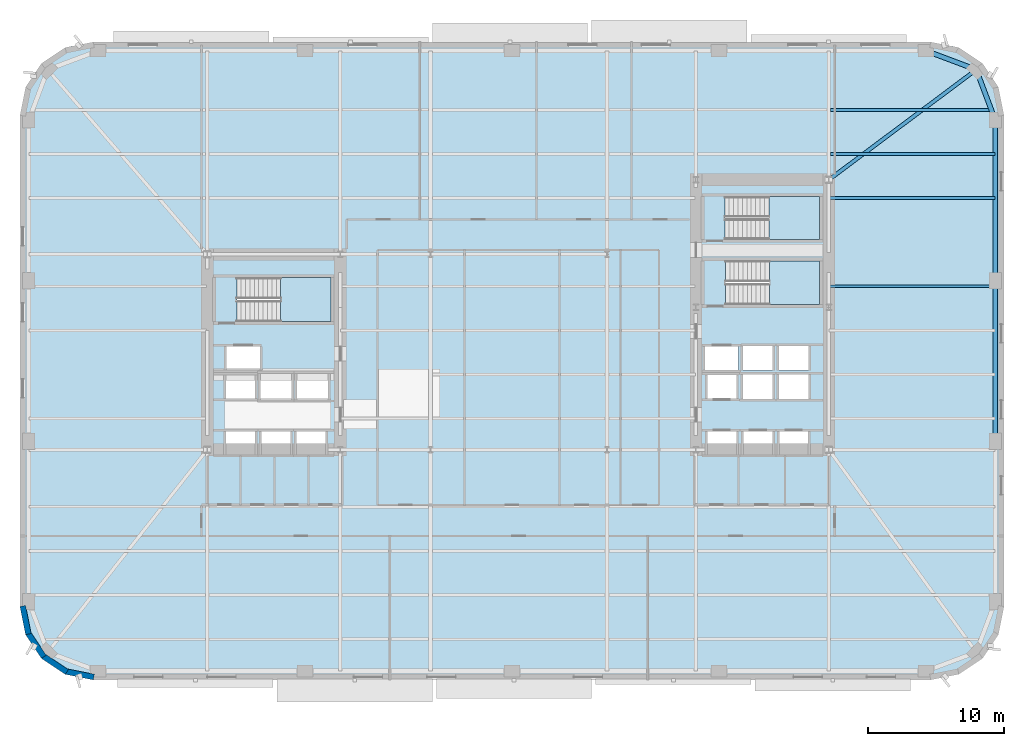
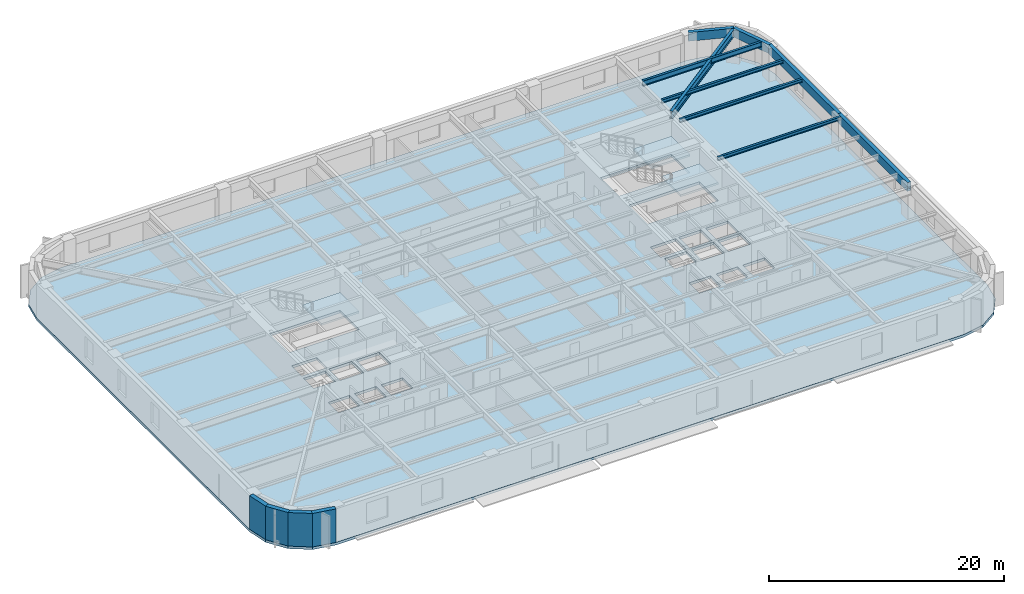
# One storey, part 3 of 15: 9 beams, 4 slabs, 4 walls, 3 elements without a shape of their own.
"""IFC4 building model written with IfcOpenShell, lengths in metres."""

from ifc_helpers import new_model, si_unit, direction, frame, frame_2d, origin, origin_2d, place, context, subcontext, project, spatial, polyline, rectangle, hollow_rectangle, i_section, outline, extrude, material, layer, layer_set, material_profile, profile_set, type_object, element, aggregate, save


model = new_model("IFC4")

# Units and contexts
model_context = context("Model", 3, precision=1e-05, world=origin(), true_north=direction((0.0, 1.0)))
body_context = subcontext(model_context, "Body", "Model", "MODEL_VIEW")
ifc_project = project(units=[si_unit("LENGTHUNIT", "METRE"), si_unit("AREAUNIT", "SQUARE_METRE"), si_unit("VOLUMEUNIT", "CUBIC_METRE"), si_unit("PLANEANGLEUNIT", "RADIAN"), si_unit("MASSUNIT", "GRAM", prefix="KILO")], contexts=[model_context])

# Site, building, storey
site_placement = place(None, origin())
site = spatial("IfcSite", under=ifc_project, at=site_placement, CompositionType="ELEMENT")
building_placement = place(site_placement, origin())
building = spatial("IfcBuilding", under=site, at=building_placement, Name="Kolvaren Arena Tower", CompositionType="ELEMENT")
storey_placement = place(building_placement, frame((0.0, 0.0, 60.75)))
storey = spatial("IfcBuildingStorey", under=building, at=storey_placement, Name="L12", CompositionType="ELEMENT", Elevation=60.75)

# Beams
ifc_material_1 = material(Name="Steel CSA G40.21 350W", Category="steel")
ifc_material_profile_1 = material_profile(ifc_material_1, i_section(OverallWidth=0.2119140625, OverallDepth=0.54296875, WebThickness=0.01318359375, FlangeThickness=0.0244140625, FilletRadius=0.013916015625, at=origin_2d()), Name="W530x150")
ifc_profile_set_1 = profile_set([ifc_material_profile_1], Name="Steel CSA G40.21 350W")
beam_type_1 = type_object("IfcBeamType", Name="BEAM-F1", PredefinedType="BEAM", material=ifc_profile_set_1)
beam_1_placement = place(storey_placement, frame((60.485107421875, 44.5, 3.20849609375), z_axis=(1.0, 0.0, 0.0), x_axis=(0.0, 1.0, 0.0)))
element("IfcBeam", 1, at=beam_1_placement, inside=storey, type_object=beam_type_1, Name="Composite Floor Beam (L12)", PredefinedType="BEAM", context=body_context, shape_type="SweptSolid", body=[
    extrude(i_section(OverallWidth=0.2119140625, OverallDepth=0.54296875, WebThickness=0.01318359375, FlangeThickness=0.0244140625, FilletRadius=0.013916015625, at=origin_2d()), origin(), (0.0, 0.0, 1.0), 11.83349609375),
])
ifc_material_profile_2 = material_profile(ifc_material_1, i_section(OverallWidth=0.27001953125, OverallDepth=0.77294921875, WebThickness=0.019287109375, FlangeThickness=0.033447265625, FilletRadius=0.01806640625, at=origin_2d()), Name="W760x257")
ifc_profile_set_2 = profile_set([ifc_material_profile_2], Name="Steel CSA G40.21 350W")
beam_type_2 = type_object("IfcBeamType", Name="GIRD-T1", PredefinedType="BEAM", material=ifc_profile_set_2)
beam_2_placement = place(storey_placement, frame((71.208740234375, 47.458740234375, 3.093505859375), z_axis=(-0.801249936397, -0.598329791523, 0.0), x_axis=(0.598329791523, -0.801249936397, 0.0)))
element("IfcBeam", 2, at=beam_2_placement, inside=storey, type_object=beam_type_2, Name="Corner Diagonal Tie Girder (L12)", PredefinedType="BEAM", context=body_context, shape_type="SweptSolid", body=[
    extrude(i_section(OverallWidth=0.27001953125, OverallDepth=0.77294921875, WebThickness=0.019287109375, FlangeThickness=0.033447265625, FilletRadius=0.01806640625, at=origin_2d()), origin(), (0.0, 0.0, 1.0), 13.55224609375),
])
ifc_material_profile_3 = material_profile(ifc_material_1, i_section(OverallWidth=0.202880859375, OverallDepth=0.346923828125, WebThickness=0.0078125, FlangeThickness=0.013427734375, FilletRadius=0.010986328125, at=origin_2d()), Name="W360x64")
ifc_profile_set_3 = profile_set([ifc_material_profile_3], Name="Steel CSA G40.21 350W")
beam_type_3 = type_object("IfcBeamType", Name="JOIST-01", PredefinedType="JOIST", material=ifc_profile_set_3)
for number, where, z_axis, x_axis, name in (
    (3, (60.3701171875, 31.5, 3.306396484375), (1.0, 0.0, 0.0), (0.0, 1.0, 0.0), "Composite Floor Joist (L12)"),
    (4, (60.3701171875, 38.0, 3.306396484375), (1.0, 0.0, 0.0), (0.0, 1.0, 0.0), "Composite Floor Joist (L12)"),
):
    element("IfcBeam", number, at=place(storey_placement, frame(where, z_axis=z_axis, x_axis=x_axis)), inside=storey, type_object=beam_type_3, Name=name, PredefinedType="JOIST", context=body_context, shape_type="SweptSolid", body=[
        extrude(i_section(OverallWidth=0.202880859375, OverallDepth=0.346923828125, WebThickness=0.0078125, FlangeThickness=0.013427734375, FilletRadius=0.010986328125, at=origin_2d()), origin(), (0.0, 0.0, 1.0), 12.22998046875),
    ])
beam_3_placement = place(storey_placement, frame((60.485107421875, 41.25, 3.306396484375), z_axis=(1.0, 0.0, 0.0), x_axis=(0.0, 1.0, 0.0)))
element("IfcBeam", 5, at=beam_3_placement, inside=storey, type_object=beam_type_3, Name="Composite Floor Joist (L12)", PredefinedType="JOIST", context=body_context, shape_type="SweptSolid", body=[
    extrude(i_section(OverallWidth=0.202880859375, OverallDepth=0.346923828125, WebThickness=0.0078125, FlangeThickness=0.013427734375, FilletRadius=0.010986328125, at=origin_2d()), origin(), (0.0, 0.0, 1.0), 12.114990234375),
])
ifc_material_2 = material(Name="Steel CSA G40.21 350WT", Category="steel")
ifc_material_profile_4 = material_profile(ifc_material_2, hollow_rectangle(XDim=0.35009765625, YDim=0.89990234375, WallThickness=0.02001953125, at=origin_2d()), Name="HSS 900x350x20")
ifc_profile_set_4 = profile_set([ifc_material_profile_4], Name="Steel CSA G40.21 350WT")
beam_type_4 = type_object("IfcBeamType", Name="SPAND-01", PredefinedType="SPANDREL", material=ifc_profile_set_4)
beam_4_placement = place(storey_placement, frame((72.60009765625, 20.083251953125, 3.030029296875), z_axis=(0.0, 1.0, 0.0), x_axis=(-1.0, 0.0, 0.0)))
element("IfcBeam", 6, at=beam_4_placement, inside=storey, type_object=beam_type_4, Name="Perimeter Spandrel Beam (L12)", PredefinedType="SPANDREL", context=body_context, shape_type="SweptSolid", body=[
    extrude(hollow_rectangle(XDim=0.35009765625, YDim=0.89990234375, WallThickness=0.02001953125, at=origin_2d()), origin(), (0.0, 0.0, 1.0), 11.83349609375),
])
beam_5_placement = place(storey_placement, frame((72.60009765625, 31.916748046875, 3.030029296875), z_axis=(0.0, 1.0, 0.0), x_axis=(-1.0, 0.0, 0.0)))
element("IfcBeam", 7, at=beam_5_placement, inside=storey, type_object=beam_type_4, Name="Perimeter Spandrel Beam (L12)", PredefinedType="SPANDREL", context=body_context, shape_type="SweptSolid", body=[
    extrude(hollow_rectangle(XDim=0.35009765625, YDim=0.89990234375, WallThickness=0.02001953125, at=origin_2d()), origin(), (0.0, 0.0, 1.0), 11.833251953125),
])
for number, where, z_axis, x_axis, name in (
    (8, (72.60009765625, 43.75, 3.030029296875), (-0.351251771955, 0.93628104365, 0.0), (-0.93628104365, -0.351251771955, 0.0), "Perimeter Spandrel Beam (L12)"),
    (9, (71.208740234375, 47.458740234375, 3.030029296875), (-0.93628104365, 0.351251771955, 0.0), (-0.351251771955, -0.93628104365, 0.0), "Perimeter Spandrel Beam (L12)"),
):
    element("IfcBeam", number, at=place(storey_placement, frame(where, z_axis=z_axis, x_axis=x_axis)), inside=storey, type_object=beam_type_4, Name=name, PredefinedType="SPANDREL", context=body_context, shape_type="SweptSolid", body=[
        extrude(hollow_rectangle(XDim=0.35009765625, YDim=0.89990234375, WallThickness=0.02001953125, at=origin_2d()), origin(), (0.0, 0.0, 1.0), 3.961181640625),
    ])

# Stair, slab
ifc_material_3 = material(Name="Concrete 45 MPa", Category="concrete")
stair_type_1 = type_object("IfcStairType", Name="STAIR-CORE-165", PredefinedType="HALF_TURN_STAIR", material=ifc_material_3)
stair_1_placement = place(storey_placement, origin())
stair_1 = element("IfcStair", 10, at=stair_1_placement, inside=storey, type_object=stair_type_1, Name="L12 ST-W1", PredefinedType="HALF_TURN_STAIR")
ifc_layer_1 = layer(ifc_material_3, 0.199951171875)
ifc_layer_set_1 = layer_set([ifc_layer_1], Name="Concrete 45 MPa")
slab_type_1 = type_object("IfcSlabType", Name="SLAB-LAND", PredefinedType="LANDING", material=ifc_layer_set_1)
slab_1_placement = place(storey_placement, frame((0.0, 0.0, 1.675048828125)))
slab_1 = element("IfcSlab", 11, at=slab_1_placement, type_object=slab_type_1, Name="ST-W1 landing 1", PredefinedType="LANDING", context=body_context, shape_type="SweptSolid", body=[
    extrude(outline(polyline([(19.9599609375, 28.89990234375), (23.659912109375, 28.89990234375), (23.659912109375, 32.1298828125), (19.9599609375, 32.1298828125), (19.9599609375, 28.89990234375)])), origin(), (0.0, 0.0, 1.0), 0.199951171875),
])
aggregate(stair_1, [slab_1])

stair_2_placement = place(storey_placement, origin())
stair_2 = element("IfcStair", 12, at=stair_2_placement, inside=storey, type_object=stair_type_1, Name="L12 ST-E1", PredefinedType="HALF_TURN_STAIR")
slab_2_placement = place(storey_placement, frame((0.0, 0.0, 1.675048828125)))
slab_2 = element("IfcSlab", 13, at=slab_2_placement, type_object=slab_type_1, Name="ST-E1 landing 1", PredefinedType="LANDING", context=body_context, shape_type="SweptSolid", body=[
    extrude(outline(polyline([(55.9599609375, 30.14990234375), (59.659912109375, 30.14990234375), (59.659912109375, 33.3798828125), (55.9599609375, 33.3798828125), (55.9599609375, 30.14990234375)])), origin(), (0.0, 0.0, 1.0), 0.199951171875),
])
aggregate(stair_2, [slab_2])

stair_type_2 = type_object("IfcStairType", Name="STAIR-CORE-150", PredefinedType="HALF_TURN_STAIR", material=ifc_material_3)
stair_3_placement = place(storey_placement, origin())
stair_3 = element("IfcStair", 14, at=stair_3_placement, inside=storey, type_object=stair_type_2, Name="L12 ST-E2", PredefinedType="HALF_TURN_STAIR")
slab_3_placement = place(storey_placement, frame((0.0, 0.0, 1.675048828125)))
slab_3 = element("IfcSlab", 15, at=slab_3_placement, type_object=slab_type_1, Name="ST-E2 landing 1", PredefinedType="LANDING", context=body_context, shape_type="SweptSolid", body=[
    extrude(outline(polyline([(55.919921875, 34.949951171875), (59.659912109375, 34.949951171875), (59.659912109375, 38.10009765625), (55.919921875, 38.10009765625), (55.919921875, 34.949951171875)])), origin(), (0.0, 0.0, 1.0), 0.199951171875),
])
aggregate(stair_3, [slab_3])

# Slab
ifc_layer_2 = layer(ifc_material_3, 0.27001953125)
ifc_layer_set_2 = layer_set([ifc_layer_2], Name="Concrete 45 MPa")
slab_type_2 = type_object("IfcSlabType", Name="SLAB-OFF2", PredefinedType="FLOOR", material=ifc_layer_set_2)
slab_4_placement = place(storey_placement, frame((0.0, 0.0, -0.27001953125)))
element("IfcSlab", 16, at=slab_4_placement, inside=storey, type_object=slab_type_2, Name="L12 Primary Structural Slab", PredefinedType="FLOOR", context=body_context, shape_type="SweptSolid", body=[
    extrude(outline(polyline([(67.85009765625, 2.5), (69.91650390625, 2.9111328125), (71.66845703125, 4.08154296875), (72.8388671875, 5.83349609375), (73.25, 7.89990234375), (73.25, 44.10009765625), (72.8388671875, 46.16650390625), (71.66845703125, 47.91845703125), (69.91650390625, 49.0888671875), (67.85009765625, 49.5), (6.14990234375, 49.5), (4.08349609375, 49.0888671875), (2.33154296875, 47.91845703125), (1.1611328125, 46.16650390625), (0.75, 44.10009765625), (0.75, 7.89990234375), (1.1611328125, 5.83349609375), (2.33154296875, 4.08154296875), (4.08349609375, 2.9111328125), (6.14990234375, 2.5), (67.85009765625, 2.5)]), holes=[polyline([(15.93505859375, 19.0849609375), (15.93505859375, 20.81494140625), (18.06494140625, 20.81494140625), (18.06494140625, 19.0849609375), (15.93505859375, 19.0849609375)]), polyline([(18.534912109375, 19.0849609375), (18.534912109375, 20.81494140625), (20.6650390625, 20.81494140625), (20.6650390625, 19.0849609375), (18.534912109375, 19.0849609375)]), polyline([(21.135009765625, 19.0849609375), (21.135009765625, 20.81494140625), (23.264892578125, 20.81494140625), (23.264892578125, 19.0849609375), (21.135009765625, 19.0849609375)]), polyline([(51.39501953125, 19.0849609375), (51.39501953125, 20.81494140625), (53.52490234375, 20.81494140625), (53.52490234375, 19.0849609375), (51.39501953125, 19.0849609375)]), polyline([(54.054931640625, 19.0849609375), (54.054931640625, 20.81494140625), (56.18505859375, 20.81494140625), (56.18505859375, 19.0849609375), (54.054931640625, 19.0849609375)]), polyline([(56.695068359375, 19.0849609375), (56.695068359375, 20.81494140625), (58.824951171875, 20.81494140625), (58.824951171875, 19.0849609375), (56.695068359375, 19.0849609375)]), polyline([(18.4599609375, 23.135009765625), (18.4599609375, 25.06494140625), (20.739990234375, 25.06494140625), (20.739990234375, 23.135009765625), (18.4599609375, 23.135009765625)]), polyline([(21.159912109375, 23.135009765625), (21.159912109375, 25.06494140625), (23.43994140625, 25.06494140625), (23.43994140625, 23.135009765625), (21.159912109375, 23.135009765625)]), polyline([(54.030029296875, 25.014892578125), (56.2099609375, 25.014892578125), (56.2099609375, 23.18505859375), (54.030029296875, 23.18505859375), (54.030029296875, 25.014892578125)]), polyline([(56.669921875, 25.014892578125), (58.85009765625, 25.014892578125), (58.85009765625, 23.18505859375), (56.669921875, 23.18505859375), (56.669921875, 25.014892578125)]), polyline([(15.93505859375, 23.235107421875), (15.93505859375, 24.965087890625), (18.06494140625, 24.965087890625), (18.06494140625, 23.235107421875), (15.93505859375, 23.235107421875)]), polyline([(51.39501953125, 24.965087890625), (53.52490234375, 24.965087890625), (53.52490234375, 23.235107421875), (51.39501953125, 23.235107421875), (51.39501953125, 24.965087890625)]), polyline([(54.030029296875, 25.284912109375), (54.030029296875, 27.114990234375), (56.2099609375, 27.114990234375), (56.2099609375, 25.284912109375), (54.030029296875, 25.284912109375)]), polyline([(56.669921875, 25.284912109375), (56.669921875, 27.114990234375), (58.85009765625, 27.114990234375), (58.85009765625, 25.284912109375), (56.669921875, 25.284912109375)]), polyline([(15.9599609375, 27.06494140625), (18.43994140625, 27.06494140625), (18.43994140625, 25.3349609375), (15.9599609375, 25.3349609375), (15.9599609375, 27.06494140625)]), polyline([(51.219970703125, 25.3349609375), (51.219970703125, 27.06494140625), (53.699951171875, 27.06494140625), (53.699951171875, 25.3349609375), (51.219970703125, 25.3349609375)]), polyline([(16.735107421875, 28.89990234375), (16.735107421875, 32.1298828125), (23.659912109375, 32.1298828125), (23.659912109375, 28.89990234375), (16.735107421875, 28.89990234375)]), polyline([(52.735107421875, 33.3798828125), (59.659912109375, 33.3798828125), (59.659912109375, 30.14990234375), (52.735107421875, 30.14990234375), (52.735107421875, 33.3798828125)]), polyline([(52.695068359375, 38.10009765625), (59.659912109375, 38.10009765625), (59.659912109375, 34.949951171875), (52.695068359375, 34.949951171875), (52.695068359375, 38.10009765625)])]), origin(), (0.0, 0.0, 1.0), 0.27001953125),
])

# Walls
ifc_material_4 = material(Name="Precast concrete C50/60", Category="concrete")
ifc_layer_3 = layer(ifc_material_4, 0.419921875)
ifc_layer_set_3 = layer_set([ifc_layer_3], Name="Precast concrete C50/60")
wall_type = type_object("IfcWallType", Name="EXT-PIER1", PredefinedType="SOLIDWALL", material=ifc_layer_set_3)
for number, where, z_axis, x_axis, name in (
    (17, (1.3671875, 5.87451171875, 0.0), (0.0, 0.0, 1.0), (-0.195135546048, 0.9807762837, 0.0), "Exterior Precast Masonry-Frame Wall (L12)"),
    (18, (2.506103515625, 4.1982421875, 0.0), (0.0, 0.0, 1.0), (-0.555502146192, 0.831515102434, 0.0), "Exterior Precast Masonry-Frame Wall (L12)"),
    (19, (4.2001953125, 3.085693359375, 0.0), (0.0, 0.0, 1.0), (-0.831515102434, 0.555502146192, 0.0), "Exterior Precast Masonry-Frame Wall (L12)"),
    (20, (6.19091796875, 2.7060546875, 0.0), (0.0, 0.0, 1.0), (-0.9807762837, 0.195135546048, 0.0), "Exterior Precast Masonry-Frame Wall (L12)"),
):
    element("IfcWall", number, at=place(storey_placement, frame(where, z_axis=z_axis, x_axis=x_axis)), inside=storey, type_object=wall_type, Name=name, PredefinedType="SOLIDWALL", context=body_context, shape_type="SweptSolid", body=[
        extrude(rectangle(XDim=2.10693359375, YDim=0.419921875, at=frame_2d((1.053466796875, 0.0))), origin(), (0.0, 0.0, 1.0), 3.47998046875),
    ])

save(model, "model.ifc")
